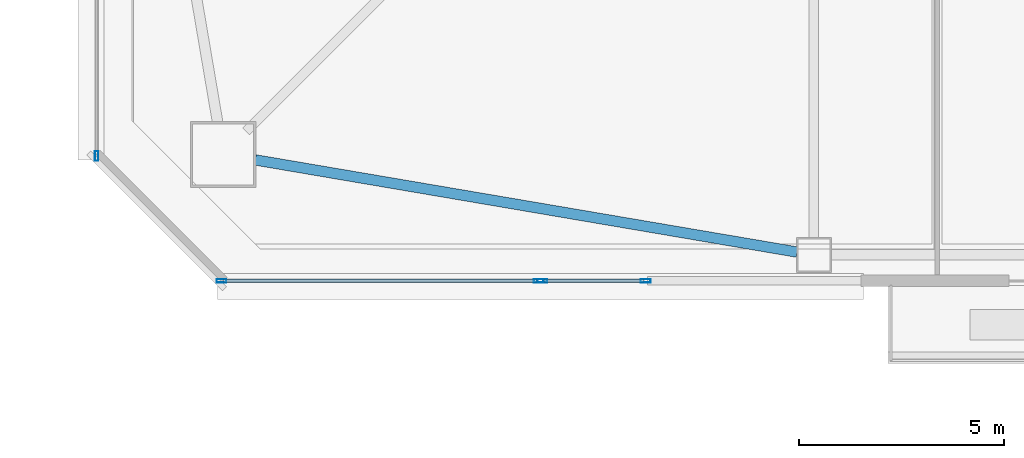
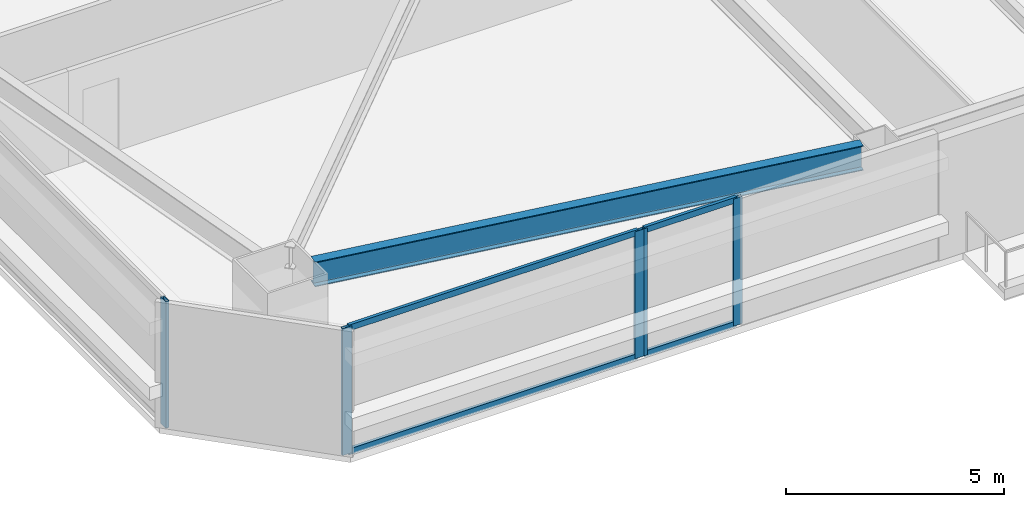
# One storey, part 3 of 46: 9 members, 1 beam, 3 elements without a shape of their own.
"""IFC4 building model written with IfcOpenShell, lengths in metres."""

from ifc_helpers import new_model, si_unit, direction, frame, origin, origin_2d, place, context, subcontext, project, spatial, hollow_rectangle, i_section, extrude, material, material_profile, profile_set, type_object, element, aggregate, save


model = new_model("IFC4")

# Units and contexts
model_context = context("Model", 3, precision=1e-05, world=origin(), true_north=direction((0.0, 1.0)))
body_context = subcontext(model_context, "Body", "Model", "MODEL_VIEW")
ifc_project = project(units=[si_unit("LENGTHUNIT", "METRE"), si_unit("AREAUNIT", "SQUARE_METRE"), si_unit("VOLUMEUNIT", "CUBIC_METRE"), si_unit("PLANEANGLEUNIT", "RADIAN"), si_unit("MASSUNIT", "GRAM", prefix="KILO")], contexts=[model_context])

# Site, building, storey
site_placement = place(None, origin())
site = spatial("IfcSite", under=ifc_project, at=site_placement, CompositionType="ELEMENT")
building_placement = place(site_placement, origin())
building = spatial("IfcBuilding", under=site, at=building_placement, Name="Tashvorn Skyway Center", CompositionType="ELEMENT")
storey_placement = place(building_placement, frame((0.0, 0.0, 38.800048828125)))
storey = spatial("IfcBuildingStorey", under=building, at=storey_placement, Name="L09", CompositionType="ELEMENT", Elevation=38.800048828125)

# Beam
ifc_material_1 = material(Name="Steel ASTM A992 Grade 50", Category="steel")
ifc_material_profile_1 = material_profile(ifc_material_1, i_section(OverallWidth=0.256103515625, OverallDepth=0.693115234375, WebThickness=0.014404296875, FlangeThickness=0.023681640625, at=origin_2d()), Name="W27X114")
ifc_profile_set_1 = profile_set([ifc_material_profile_1], Name="Steel ASTM A992 Grade 50")
beam_type = type_object("IfcBeamType", Name="BM-SPANDREL-W27X114", PredefinedType="SPANDREL", material=ifc_profile_set_1)
beam_placement = place(storey_placement, frame((22.983642578125, 12.066650390625, 3.00341796875), z_axis=(0.985835025551, -0.16771792509, 0.0), x_axis=(0.16771792509, 0.985835025551, 0.0)))
element("IfcBeam", 1, at=beam_placement, inside=storey, type_object=beam_type, Name="Tower 1 L09 Spandrel Beam 01", PredefinedType="SPANDREL", context=body_context, shape_type="SweptSolid", body=[
    extrude(i_section(OverallWidth=0.256103515625, OverallDepth=0.693115234375, WebThickness=0.014404296875, FlangeThickness=0.023681640625, at=origin_2d()), origin(), (0.0, 0.0, 1.0), 13.39208984375),
])

# Curtain wall, members
ifc_material_2 = material(Name="Thermally broken bronze-anodized aluminium 6063-T6", Category="aluminium")
curtain_wall_type = type_object("IfcCurtainWallType", Name="CW-CW-Z1", PredefinedType="NOTDEFINED", material=ifc_material_2)
curtain_wall_1_placement = place(storey_placement, origin())
curtain_wall_1 = element("IfcCurtainWall", 2, at=curtain_wall_1_placement, inside=storey, type_object=curtain_wall_type, Name="Tower 1 L09 South Curtain Wall R Glazing Group 1", PredefinedType="NOTDEFINED")
ifc_material_profile_2 = material_profile(ifc_material_2, hollow_rectangle(XDim=0.0849609375, YDim=0.239990234375, WallThickness=0.0048828125, at=origin_2d()), Name="ALU-MULL-85x240")
ifc_profile_set_2 = profile_set([ifc_material_profile_2], Name="Thermally broken bronze-anodized aluminium 6063-T6")
member_type_1 = type_object("IfcMemberType", Name="CWM-CW-Z1", PredefinedType="MULLION", material=ifc_profile_set_2)
member_1_placement = place(storey_placement, frame((32.49755859375, 9.1201171875, 0.0), z_axis=(0.0, 0.0, 1.0), x_axis=(0.0, -1.0, 0.0)))
member_1 = element("IfcMember", 3, at=member_1_placement, type_object=member_type_1, Name="CW-Z1 mullion 1", PredefinedType="MULLION", context=body_context, shape_type="SweptSolid", body=[
    extrude(hollow_rectangle(XDim=0.0849609375, YDim=0.239990234375, WallThickness=0.0048828125, at=origin_2d()), origin(), (0.0, 0.0, 1.0), 3.550048828125),
])
member_2_placement = place(storey_placement, frame((29.9775390625, 9.1201171875, 0.0), z_axis=(0.0, 0.0, 1.0), x_axis=(0.0, -1.0, 0.0)))
member_2 = element("IfcMember", 4, at=member_2_placement, type_object=member_type_1, Name="CW-Z1 mullion 2", PredefinedType="MULLION", context=body_context, shape_type="SweptSolid", body=[
    extrude(hollow_rectangle(XDim=0.0849609375, YDim=0.239990234375, WallThickness=0.0048828125, at=origin_2d()), origin(), (0.0, 0.0, 1.0), 3.550048828125),
])

curtain_wall_2_placement = place(storey_placement, origin())
curtain_wall_2 = element("IfcCurtainWall", 5, at=curtain_wall_2_placement, inside=storey, type_object=curtain_wall_type, Name="Tower 1 L09 South Curtain Wall R Glazing Group 2", PredefinedType="NOTDEFINED")
member_3_placement = place(storey_placement, frame((29.892578125, 9.1201171875, 0.0), z_axis=(0.0, 0.0, 1.0), x_axis=(0.0, -1.0, 0.0)))
member_3 = element("IfcMember", 6, at=member_3_placement, type_object=member_type_1, Name="CW-Z1 mullion 1", PredefinedType="MULLION", context=body_context, shape_type="SweptSolid", body=[
    extrude(hollow_rectangle(XDim=0.0849609375, YDim=0.239990234375, WallThickness=0.0048828125, at=origin_2d()), origin(), (0.0, 0.0, 1.0), 3.550048828125),
])
member_4_placement = place(storey_placement, frame((22.16259765625, 9.1201171875, 0.0), z_axis=(0.0, 0.0, 1.0), x_axis=(0.0, -1.0, 0.0)))
member_4 = element("IfcMember", 7, at=member_4_placement, type_object=member_type_1, Name="CW-Z1 mullion 2", PredefinedType="MULLION", context=body_context, shape_type="SweptSolid", body=[
    extrude(hollow_rectangle(XDim=0.0849609375, YDim=0.239990234375, WallThickness=0.0048828125, at=origin_2d()), origin(), (0.0, 0.0, 1.0), 3.550048828125),
])

# Curtain wall, member
curtain_wall_3_placement = place(storey_placement, origin())
curtain_wall_3 = element("IfcCurtainWall", 8, at=curtain_wall_3_placement, inside=storey, type_object=curtain_wall_type, Name="Tower 1 L09 West Unitised Curtain Wall Glazing Group 1", PredefinedType="NOTDEFINED")
member_5_placement = place(storey_placement, frame((19.1201171875, 12.16259765625, 0.0), z_axis=(0.0, 0.0, 1.0), x_axis=(-1.0, 0.0, 0.0)))
member_5 = element("IfcMember", 9, at=member_5_placement, type_object=member_type_1, Name="CW-Z1 mullion 1", PredefinedType="MULLION", context=body_context, shape_type="SweptSolid", body=[
    extrude(hollow_rectangle(XDim=0.0849609375, YDim=0.239990234375, WallThickness=0.0048828125, at=origin_2d()), origin(), (0.0, 0.0, 1.0), 3.550048828125),
])
aggregate(curtain_wall_3, [member_5])

# Member
ifc_material_profile_3 = material_profile(ifc_material_2, hollow_rectangle(XDim=0.0849609375, YDim=0.1650390625, WallThickness=0.0048828125, at=origin_2d()), Name="ALU-TRAN-85x165")
ifc_profile_set_3 = profile_set([ifc_material_profile_3], Name="Thermally broken bronze-anodized aluminium 6063-T6")
member_type_2 = type_object("IfcMemberType", Name="CWT-CW-Z1", PredefinedType="USERDEFINED", material=ifc_profile_set_3)
member_6_placement = place(storey_placement, frame((32.455078125, 9.1201171875, 0.04248046875), z_axis=(-1.0, 0.0, 0.0), x_axis=(0.0, -1.0, 0.0)))
member_6 = element("IfcMember", 10, at=member_6_placement, type_object=member_type_2, Name="CW-Z1 transom 1.1", ObjectType="TRANSOM", PredefinedType="USERDEFINED", context=body_context, shape_type="SweptSolid", body=[
    extrude(hollow_rectangle(XDim=0.0849609375, YDim=0.1650390625, WallThickness=0.0048828125, at=origin_2d()), origin(), (0.0, 0.0, 1.0), 2.43505859375),
])

member_7_placement = place(storey_placement, frame((32.455078125, 9.1201171875, 3.507568359375), z_axis=(-1.0, 0.0, 0.0), x_axis=(0.0, -1.0, 0.0)))
member_7 = element("IfcMember", 11, at=member_7_placement, type_object=member_type_2, Name="CW-Z1 transom 1.2", ObjectType="TRANSOM", PredefinedType="USERDEFINED", context=body_context, shape_type="SweptSolid", body=[
    extrude(hollow_rectangle(XDim=0.0849609375, YDim=0.1650390625, WallThickness=0.0048828125, at=origin_2d()), origin(), (0.0, 0.0, 1.0), 2.43505859375),
])

aggregate(curtain_wall_1, [member_1, member_2, member_6, member_7])

member_8_placement = place(storey_placement, frame((29.85009765625, 9.1201171875, 0.04248046875), z_axis=(-1.0, 0.0, 0.0), x_axis=(0.0, -1.0, 0.0)))
member_8 = element("IfcMember", 12, at=member_8_placement, type_object=member_type_2, Name="CW-Z1 transom 1.1", ObjectType="TRANSOM", PredefinedType="USERDEFINED", context=body_context, shape_type="SweptSolid", body=[
    extrude(hollow_rectangle(XDim=0.0849609375, YDim=0.1650390625, WallThickness=0.0048828125, at=origin_2d()), origin(), (0.0, 0.0, 1.0), 7.64501953125),
])

member_9_placement = place(storey_placement, frame((29.85009765625, 9.1201171875, 3.507568359375), z_axis=(-1.0, 0.0, 0.0), x_axis=(0.0, -1.0, 0.0)))
member_9 = element("IfcMember", 13, at=member_9_placement, type_object=member_type_2, Name="CW-Z1 transom 1.2", ObjectType="TRANSOM", PredefinedType="USERDEFINED", context=body_context, shape_type="SweptSolid", body=[
    extrude(hollow_rectangle(XDim=0.0849609375, YDim=0.1650390625, WallThickness=0.0048828125, at=origin_2d()), origin(), (0.0, 0.0, 1.0), 7.64501953125),
])

aggregate(curtain_wall_2, [member_3, member_4, member_8, member_9])

save(model, "model.ifc")
